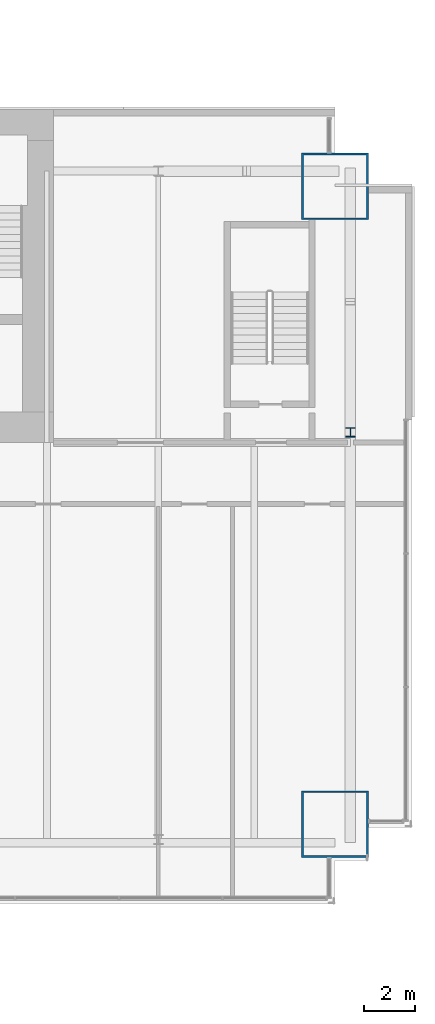
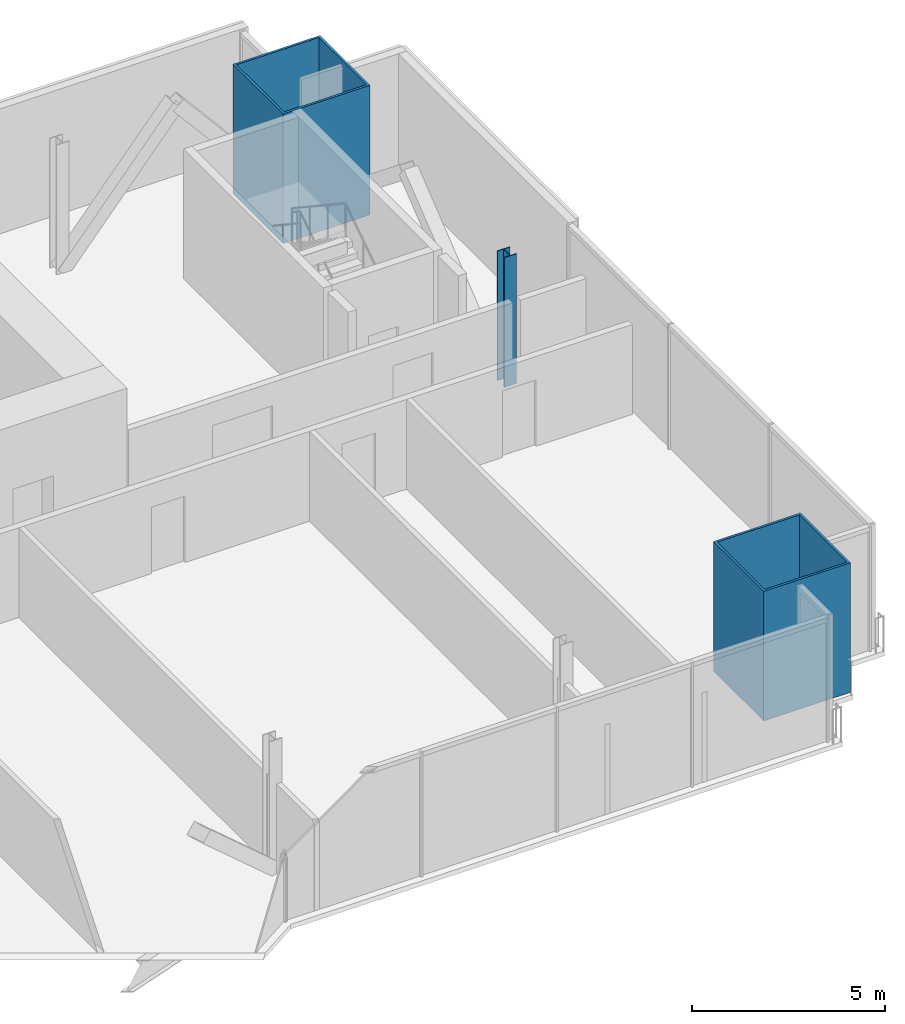
# One storey, part 4 of 20: 3 columns.
"""IFC4 building model written with IfcOpenShell, lengths in metres."""

from ifc_helpers import new_model, si_unit, direction, frame, origin, origin_2d, place, context, subcontext, project, spatial, hollow_rectangle, i_section, extrude, material, material_profile, profile_set, type_object, element, save


model = new_model("IFC4")

# Units and contexts
model_context = context("Model", 3, precision=1e-05, world=origin(), true_north=direction((0.0, 1.0)))
body_context = subcontext(model_context, "Body", "Model", "MODEL_VIEW")
ifc_project = project(units=[si_unit("LENGTHUNIT", "METRE"), si_unit("AREAUNIT", "SQUARE_METRE"), si_unit("VOLUMEUNIT", "CUBIC_METRE"), si_unit("PLANEANGLEUNIT", "RADIAN"), si_unit("MASSUNIT", "GRAM", prefix="KILO")], contexts=[model_context])

# Site, building, storey
site_placement = place(None, origin())
site = spatial("IfcSite", under=ifc_project, at=site_placement, CompositionType="ELEMENT")
building_placement = place(site_placement, origin())
building = spatial("IfcBuilding", under=site, at=building_placement, Name="Bicima Exchange Tower", CompositionType="ELEMENT")
storey_placement = place(building_placement, frame((0.0, 0.0, 227.800048828125)))
storey = spatial("IfcBuildingStorey", under=building, at=storey_placement, Name="L51", CompositionType="ELEMENT", Elevation=227.800048828125)

# Columns
ifc_material_1 = material(Name="Steel ASTM A572 Gr 50", Category="steel")
ifc_material_profile_1 = material_profile(ifc_material_1, hollow_rectangle(XDim=2.60009765625, YDim=2.60009765625, WallThickness=0.070068359375, at=origin_2d()))
ifc_profile_set_1 = profile_set([ifc_material_profile_1], Name="Steel ASTM A572 Gr 50")
column_type_1 = type_object("IfcColumnType", Name="Mega column BOX 2600x2600x70", PredefinedType="COLUMN", material=ifc_profile_set_1)
for number, where, z_axis, x_axis, name in (
    (1, (33.0, -27.89794921875, 0.0), (0.0, 0.0, 1.0), (1.0, 0.0, 0.0), "Mega column mega+33.0f"),
    (2, (33.0, -3.0, 0.0), (0.0, 0.0, 1.0), (1.0, 0.0, 0.0), "Mega column mega+33.0r"),
):
    element("IfcColumn", number, at=place(storey_placement, frame(where, z_axis=z_axis, x_axis=x_axis)), inside=storey, type_object=column_type_1, Name=name, PredefinedType="COLUMN", context=body_context, shape_type="SweptSolid", body=[
        extrude(hollow_rectangle(XDim=2.60009765625, YDim=2.60009765625, WallThickness=0.070068359375, at=origin_2d()), origin(), (0.0, 0.0, 1.0), 4.099853515625),
    ])
ifc_material_2 = material(Name="Steel ASTM A992 Gr 50", Category="steel")
ifc_material_profile_2 = material_profile(ifc_material_2, i_section(OverallWidth=0.373291015625, OverallDepth=0.373291015625, WebThickness=0.016357421875, FlangeThickness=0.026123046875, at=origin_2d()))
ifc_profile_set_2 = profile_set([ifc_material_profile_2], Name="Steel ASTM A992 Gr 50")
column_type_2 = type_object("IfcColumnType", Name="Perimeter column W14x132", PredefinedType="COLUMN", material=ifc_profile_set_2)
column_placement = place(storey_placement, frame((33.60009765625, -12.60009765625, 0.0), z_axis=(0.0, 0.0, 1.0), x_axis=(1.0, 0.0, 0.0)))
element("IfcColumn", 3, at=column_placement, inside=storey, type_object=column_type_2, Name="End column end+33.6e", PredefinedType="COLUMN", context=body_context, shape_type="SweptSolid", body=[
    extrude(i_section(OverallWidth=0.373291015625, OverallDepth=0.373291015625, WebThickness=0.016357421875, FlangeThickness=0.026123046875, at=origin_2d()), origin(), (0.0, 0.0, 1.0), 4.099853515625),
])

save(model, "model.ifc")
